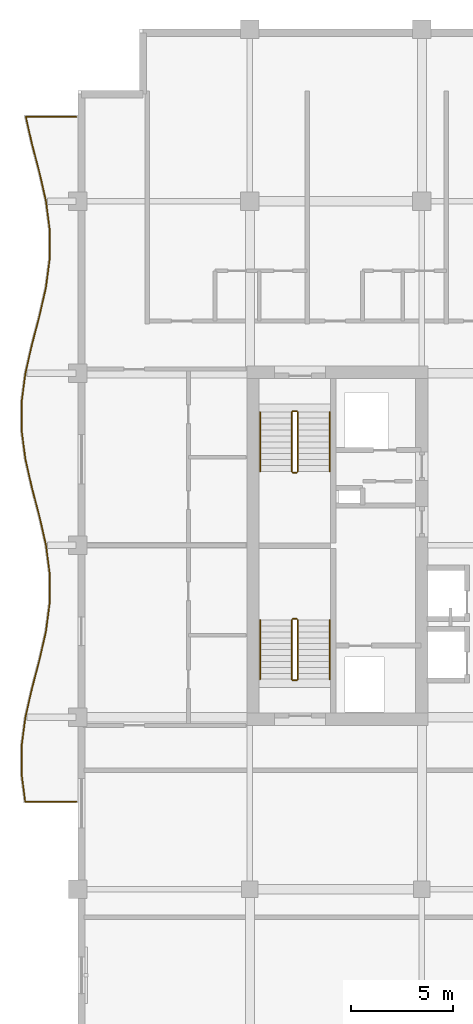
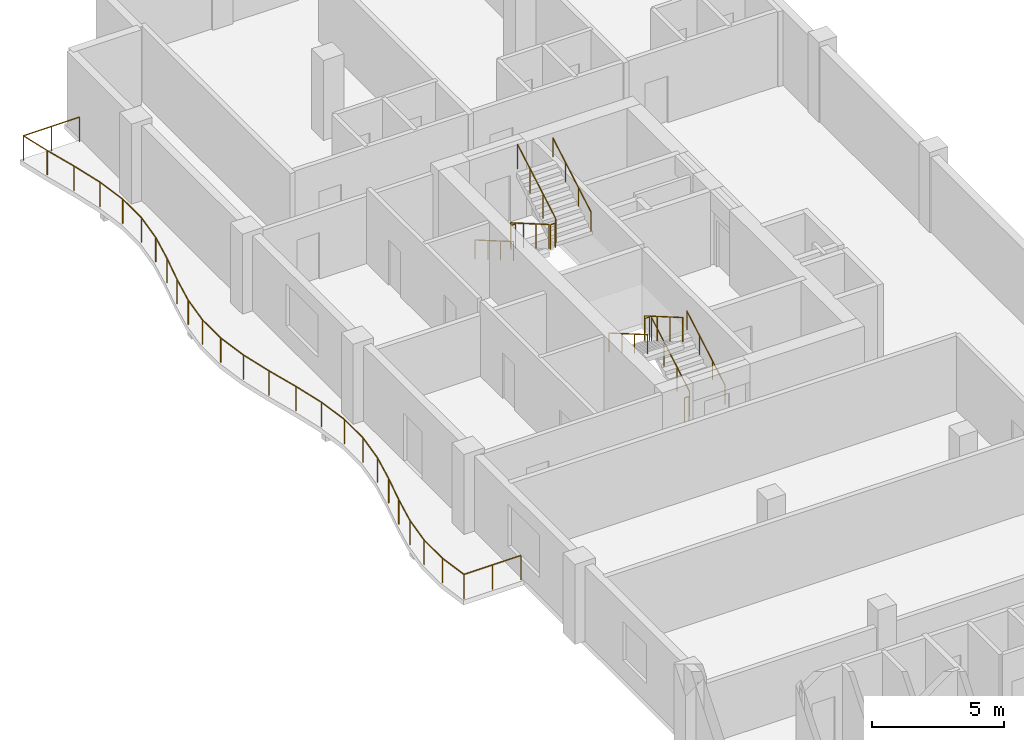
# One storey, part 12 of 12: 13 railings.
"""IFC4 building model written with IfcOpenShell, lengths in metres."""

from ifc_helpers import new_model, si_unit, direction, frame, origin, origin_2d, place, context, subcontext, project, spatial, circle, extrude, material, type_object, element, save


model = new_model("IFC4")

# Units and contexts
model_context = context("Model", 3, precision=1e-05, world=origin(), true_north=direction((0.0, 1.0)))
body_context = subcontext(model_context, "Body", "Model", "MODEL_VIEW")
ifc_project = project(units=[si_unit("LENGTHUNIT", "METRE"), si_unit("AREAUNIT", "SQUARE_METRE"), si_unit("VOLUMEUNIT", "CUBIC_METRE"), si_unit("PLANEANGLEUNIT", "RADIAN"), si_unit("MASSUNIT", "GRAM", prefix="KILO")], contexts=[model_context])

# Site, building, storey
site_placement = place(None, origin())
site = spatial("IfcSite", under=ifc_project, at=site_placement, CompositionType="ELEMENT")
building_placement = place(site_placement, origin())
building = spatial("IfcBuilding", under=site, at=building_placement, Name="Koriwani Terraces Tower", CompositionType="ELEMENT")
storey_placement = place(building_placement, frame((0.0, 0.0, 278.60009765625)))
storey = spatial("IfcBuildingStorey", under=building, at=storey_placement, Name="L69", CompositionType="ELEMENT", Elevation=278.60009765625)

# Railings
ifc_material = material(Name="Steel ASTM A572 Grade 50", Category="steel")
railing_type_1 = type_object("IfcRailingType", Name="GUARD_BALUSTRADE_1150", PredefinedType="BALUSTRADE", material=ifc_material)
railing_1_placement = place(storey_placement, frame((8.320068359375, 37.8798828125, 0.0)))
element("IfcRailing", 1, at=railing_1_placement, inside=storey, type_object=railing_type_1, Name="L69 Balcony Perimeter Safety Balustrade (W)", PredefinedType="BALUSTRADE", context=body_context, shape_type="SweptSolid", body=[
    extrude(circle(Radius=0.02392578125, at=origin_2d()), frame((0.0, 0.0, 1.1259765625), z_axis=(-1.0, 0.0, 0.0), x_axis=(0.0, -1.0, 0.0)), (0.0, 0.0, 1.0), 2.491943359375),
    extrude(circle(Radius=0.02392578125, at=origin_2d()), frame((-2.491943359375, 0.0, 1.1259765625), z_axis=(-0.130057587779, 0.991506441664, 0.0), x_axis=(-0.991506441664, -0.130057587779, 0.0)), (0.0, 0.0, 1.0), 1.33642578125),
    extrude(circle(Radius=0.02392578125, at=origin_2d()), frame((-2.665771484375, 1.3251953125, 1.1259765625), z_axis=(0.0, 1.0, 0.0), x_axis=(-1.0, 0.0, 0.0)), (0.0, 0.0, 1.0), 1.3896484375),
    extrude(circle(Radius=0.02392578125, at=origin_2d()), frame((-2.665771484375, 2.71484375, 1.1259765625), z_axis=(0.130157426935, 0.991493340479, 0.0), x_axis=(-0.991493340479, 0.130157426935, 0.0)), (0.0, 0.0, 1.0), 1.403076171875),
    extrude(circle(Radius=0.02392578125, at=origin_2d()), frame((-2.483154296875, 4.10595703125, 1.1259765625), z_axis=(0.221480974814, 0.975164692652, 0.0), x_axis=(-0.975164692652, 0.221480974814, 0.0)), (0.0, 0.0, 1.0), 1.430908203125),
    extrude(circle(Radius=0.02392578125, at=origin_2d()), frame((-2.166259765625, 5.501220703125, 1.1259765625), z_axis=(0.254028314271, 0.967196782226, 0.0), x_axis=(-0.967196782226, 0.254028314271, 0.0)), (0.0, 0.0, 1.0), 1.447265625),
    extrude(circle(Radius=0.02392578125, at=origin_2d()), frame((-1.798583984375, 6.901123046875, 1.1259765625), z_axis=(0.221665052023, 0.975122866469, 0.0), x_axis=(-0.975122866469, 0.221665052023, 0.0)), (0.0, 0.0, 1.0), 1.440673828125),
    extrude(circle(Radius=0.02392578125, at=origin_2d()), frame((-1.479248046875, 8.305908203125, 1.1259765625), z_axis=(0.12989004906, 0.991528403605, 0.0), x_axis=(-0.991528403605, 0.12989004906, 0.0)), (0.0, 0.0, 1.0), 1.4208984375),
    extrude(circle(Radius=0.02392578125, at=origin_2d()), frame((-1.294677734375, 9.71484375, 1.1259765625), z_axis=(0.0, 1.0, 0.0), x_axis=(-1.0, 0.0, 0.0)), (0.0, 0.0, 1.0), 1.410400390625),
    extrude(circle(Radius=0.02392578125, at=origin_2d()), frame((-1.294677734375, 11.125244140625, 1.1259765625), z_axis=(-0.12989004906, 0.991528403605, 0.0), x_axis=(-0.991528403605, -0.12989004906, 0.0)), (0.0, 0.0, 1.0), 1.4208984375),
    extrude(circle(Radius=0.02392578125, at=origin_2d()), frame((-1.479248046875, 12.5341796875, 1.1259765625), z_axis=(-0.221628427149, 0.975131191317, 0.0), x_axis=(-0.975131191317, -0.221628427149, 0.0)), (0.0, 0.0, 1.0), 1.44091796875),
    extrude(circle(Radius=0.02392578125, at=origin_2d()), frame((-1.798583984375, 13.939208984375, 1.1259765625), z_axis=(-0.254028314271, 0.967196782226, 0.0), x_axis=(-0.967196782226, -0.254028314271, 0.0)), (0.0, 0.0, 1.0), 1.447265625),
    extrude(circle(Radius=0.02392578125, at=origin_2d()), frame((-2.166259765625, 15.339111328125, 1.1259765625), z_axis=(-0.221517834068, 0.975156320387, 0.0), x_axis=(-0.975156320387, -0.221517834068, 0.0)), (0.0, 0.0, 1.0), 1.4306640625),
    extrude(circle(Radius=0.02392578125, at=origin_2d()), frame((-2.483154296875, 16.734130859375, 1.1259765625), z_axis=(-0.130157426935, 0.991493340479, 0.0), x_axis=(-0.991493340479, -0.130157426935, 0.0)), (0.0, 0.0, 1.0), 1.403076171875),
    extrude(circle(Radius=0.02392578125, at=origin_2d()), frame((-2.665771484375, 18.125244140625, 1.1259765625), z_axis=(0.0, 1.0, 0.0), x_axis=(-1.0, 0.0, 0.0)), (0.0, 0.0, 1.0), 1.3896484375),
    extrude(circle(Radius=0.02392578125, at=origin_2d()), frame((-2.665771484375, 19.514892578125, 1.1259765625), z_axis=(0.130157426935, 0.991493340479, 0.0), x_axis=(-0.991493340479, 0.130157426935, 0.0)), (0.0, 0.0, 1.0), 1.403076171875),
    extrude(circle(Radius=0.02392578125, at=origin_2d()), frame((-2.483154296875, 20.906005859375, 1.1259765625), z_axis=(0.221517834068, 0.975156320387, 0.0), x_axis=(-0.975156320387, 0.221517834068, 0.0)), (0.0, 0.0, 1.0), 1.4306640625),
    extrude(circle(Radius=0.02392578125, at=origin_2d()), frame((-2.166259765625, 22.301025390625, 1.1259765625), z_axis=(0.253986877518, 0.967207664387, 0.0), x_axis=(-0.967207664387, 0.253986877518, 0.0)), (0.0, 0.0, 1.0), 1.447509765625),
    extrude(circle(Radius=0.02392578125, at=origin_2d()), frame((-1.798583984375, 23.701171875, 1.1259765625), z_axis=(0.221665052023, 0.975122866469, 0.0), x_axis=(-0.975122866469, 0.221665052023, 0.0)), (0.0, 0.0, 1.0), 1.440673828125),
    extrude(circle(Radius=0.02392578125, at=origin_2d()), frame((-1.479248046875, 25.10595703125, 1.1259765625), z_axis=(0.12989004906, 0.991528403605, 0.0), x_axis=(-0.991528403605, 0.12989004906, 0.0)), (0.0, 0.0, 1.0), 1.4208984375),
    extrude(circle(Radius=0.02392578125, at=origin_2d()), frame((-1.294677734375, 26.514892578125, 1.1259765625), z_axis=(0.0, 1.0, 0.0), x_axis=(-1.0, 0.0, 0.0)), (0.0, 0.0, 1.0), 1.410400390625),
    extrude(circle(Radius=0.02392578125, at=origin_2d()), frame((-1.294677734375, 27.92529296875, 1.1259765625), z_axis=(-0.12989004906, 0.991528403605, 0.0), x_axis=(-0.991528403605, -0.12989004906, 0.0)), (0.0, 0.0, 1.0), 1.4208984375),
    extrude(circle(Radius=0.02392578125, at=origin_2d()), frame((-1.479248046875, 29.334228515625, 1.1259765625), z_axis=(-0.221665052023, 0.975122866469, 0.0), x_axis=(-0.975122866469, -0.221665052023, 0.0)), (0.0, 0.0, 1.0), 1.440673828125),
    extrude(circle(Radius=0.02392578125, at=origin_2d()), frame((-1.798583984375, 30.739013671875, 1.1259765625), z_axis=(-0.253986877518, 0.967207664387, 0.0), x_axis=(-0.967207664387, -0.253986877518, 0.0)), (0.0, 0.0, 1.0), 1.447509765625),
    extrude(circle(Radius=0.02392578125, at=origin_2d()), frame((-2.166259765625, 32.13916015625, 1.1259765625), z_axis=(-0.221597376316, 0.97513824805, 0.0), x_axis=(-0.97513824805, -0.221597376316, 0.0)), (0.0, 0.0, 1.0), 1.334228515625),
    extrude(circle(Radius=0.02392578125, at=origin_2d()), frame((-2.4619140625, 33.440185546875, 1.1259765625), z_axis=(1.0, 0.0, 0.0), x_axis=(0.0, 1.0, 0.0)), (0.0, 0.0, 1.0), 2.4619140625),
    extrude(circle(Radius=0.02099609375, at=origin_2d()), origin(), (0.0, 0.0, 1.0), 1.101806640625),
    extrude(circle(Radius=0.02099609375, at=origin_2d()), frame((-1.24609375, 0.0, 0.0)), (0.0, 0.0, 1.0), 1.101806640625),
    extrude(circle(Radius=0.02099609375, at=origin_2d()), frame((-2.491943359375, 0.0, 0.0)), (0.0, 0.0, 1.0), 1.101806640625),
    extrude(circle(Radius=0.02099609375, at=origin_2d()), frame((-2.665771484375, 1.3251953125, 0.0)), (0.0, 0.0, 1.0), 1.101806640625),
    extrude(circle(Radius=0.02099609375, at=origin_2d()), frame((-2.665771484375, 2.71484375, 0.0)), (0.0, 0.0, 1.0), 1.101806640625),
    extrude(circle(Radius=0.02099609375, at=origin_2d()), frame((-2.483154296875, 4.10595703125, 0.0)), (0.0, 0.0, 1.0), 1.101806640625),
    extrude(circle(Radius=0.02099609375, at=origin_2d()), frame((-2.166259765625, 5.501220703125, 0.0)), (0.0, 0.0, 1.0), 1.101806640625),
    extrude(circle(Radius=0.02099609375, at=origin_2d()), frame((-1.798583984375, 6.901123046875, 0.0)), (0.0, 0.0, 1.0), 1.101806640625),
    extrude(circle(Radius=0.02099609375, at=origin_2d()), frame((-1.479248046875, 8.305908203125, 0.0)), (0.0, 0.0, 1.0), 1.101806640625),
    extrude(circle(Radius=0.02099609375, at=origin_2d()), frame((-1.294677734375, 9.71484375, 0.0)), (0.0, 0.0, 1.0), 1.101806640625),
    extrude(circle(Radius=0.02099609375, at=origin_2d()), frame((-1.294677734375, 11.125244140625, 0.0)), (0.0, 0.0, 1.0), 1.101806640625),
    extrude(circle(Radius=0.02099609375, at=origin_2d()), frame((-1.479248046875, 12.5341796875, 0.0)), (0.0, 0.0, 1.0), 1.101806640625),
    extrude(circle(Radius=0.02099609375, at=origin_2d()), frame((-1.798583984375, 13.939208984375, 0.0)), (0.0, 0.0, 1.0), 1.101806640625),
    extrude(circle(Radius=0.02099609375, at=origin_2d()), frame((-2.166259765625, 15.339111328125, 0.0)), (0.0, 0.0, 1.0), 1.101806640625),
    extrude(circle(Radius=0.02099609375, at=origin_2d()), frame((-2.483154296875, 16.734130859375, 0.0)), (0.0, 0.0, 1.0), 1.101806640625),
    extrude(circle(Radius=0.02099609375, at=origin_2d()), frame((-2.665771484375, 18.125244140625, 0.0)), (0.0, 0.0, 1.0), 1.101806640625),
    extrude(circle(Radius=0.02099609375, at=origin_2d()), frame((-2.665771484375, 19.514892578125, 0.0)), (0.0, 0.0, 1.0), 1.101806640625),
    extrude(circle(Radius=0.02099609375, at=origin_2d()), frame((-2.483154296875, 20.906005859375, 0.0)), (0.0, 0.0, 1.0), 1.101806640625),
    extrude(circle(Radius=0.02099609375, at=origin_2d()), frame((-2.166259765625, 22.301025390625, 0.0)), (0.0, 0.0, 1.0), 1.101806640625),
    extrude(circle(Radius=0.02099609375, at=origin_2d()), frame((-1.798583984375, 23.701171875, 0.0)), (0.0, 0.0, 1.0), 1.101806640625),
    extrude(circle(Radius=0.02099609375, at=origin_2d()), frame((-1.479248046875, 25.10595703125, 0.0)), (0.0, 0.0, 1.0), 1.101806640625),
    extrude(circle(Radius=0.02099609375, at=origin_2d()), frame((-1.294677734375, 26.514892578125, 0.0)), (0.0, 0.0, 1.0), 1.101806640625),
    extrude(circle(Radius=0.02099609375, at=origin_2d()), frame((-1.294677734375, 27.92529296875, 0.0)), (0.0, 0.0, 1.0), 1.101806640625),
    extrude(circle(Radius=0.02099609375, at=origin_2d()), frame((-1.479248046875, 29.334228515625, 0.0)), (0.0, 0.0, 1.0), 1.101806640625),
    extrude(circle(Radius=0.02099609375, at=origin_2d()), frame((-1.798583984375, 30.739013671875, 0.0)), (0.0, 0.0, 1.0), 1.101806640625),
    extrude(circle(Radius=0.02099609375, at=origin_2d()), frame((-2.166259765625, 32.13916015625, 0.0)), (0.0, 0.0, 1.0), 1.101806640625),
    extrude(circle(Radius=0.02099609375, at=origin_2d()), frame((-2.4619140625, 33.440185546875, 0.0)), (0.0, 0.0, 1.0), 1.101806640625),
    extrude(circle(Radius=0.02099609375, at=origin_2d()), frame((-1.23095703125, 33.440185546875, 0.0)), (0.0, 0.0, 1.0), 1.101806640625),
    extrude(circle(Radius=0.02099609375, at=origin_2d()), frame((0.0, 33.440185546875, 0.0)), (0.0, 0.0, 1.0), 1.101806640625),
])
railing_type_2 = type_object("IfcRailingType", Name="GUARD_STAIR_WELL_1120", PredefinedType="GUARDRAIL", material=ifc_material)
railing_2_placement = place(storey_placement, frame((19.14990234375, 43.85009765625, 0.16796875)))
element("IfcRailing", 2, at=railing_2_placement, inside=storey, type_object=railing_type_2, Name="L69 ST-W1 stair guard 1", PredefinedType="GUARDRAIL", context=body_context, shape_type="SweptSolid", body=[
    extrude(circle(Radius=0.02392578125, at=origin_2d()), frame((0.0, 0.0, 1.1259765625), z_axis=(0.0, 0.865038774852, 0.501705010941), x_axis=(-1.0, 0.0, 0.0)), (0.0, 0.0, 1.0), 3.352294921875),
    extrude(circle(Radius=0.02099609375, at=origin_2d()), origin(), (0.0, 0.0, 1.0), 1.101806640625),
    extrude(circle(Radius=0.02099609375, at=origin_2d()), frame((0.0, 0.966552734375, 0.560546875)), (0.0, 0.0, 1.0), 1.101806640625),
    extrude(circle(Radius=0.02099609375, at=origin_2d()), frame((0.0, 1.933349609375, 1.121337890625)), (0.0, 0.0, 1.0), 1.101806640625),
    extrude(circle(Radius=0.02099609375, at=origin_2d()), frame((0.0, 2.89990234375, 1.681884765625)), (0.0, 0.0, 1.0), 1.101806640625),
])
railing_3_placement = place(storey_placement, frame((19.10009765625, 46.800048828125, 1.849853515625)))
element("IfcRailing", 3, at=railing_3_placement, inside=storey, type_object=railing_type_2, Name="L69 ST-W1 stair guard 2", PredefinedType="GUARDRAIL", context=body_context, shape_type="SweptSolid", body=[
    extrude(circle(Radius=0.02392578125, at=origin_2d()), frame((0.0, 0.0, 1.1259765625), z_axis=(-1.0, 0.0, 0.0), x_axis=(0.0, -1.0, 0.0)), (0.0, 0.0, 1.0), 0.2001953125),
    extrude(circle(Radius=0.02099609375, at=origin_2d()), origin(), (0.0, 0.0, 1.0), 1.101806640625),
    extrude(circle(Radius=0.02099609375, at=origin_2d()), frame((-0.2001953125, 0.0, 0.0)), (0.0, 0.0, 1.0), 1.101806640625),
])
railing_4_placement = place(storey_placement, frame((18.85009765625, 46.75, 2.01806640625)))
element("IfcRailing", 4, at=railing_4_placement, inside=storey, type_object=railing_type_2, Name="L69 ST-W1 stair guard 3", PredefinedType="GUARDRAIL", context=body_context, shape_type="SweptSolid", body=[
    extrude(circle(Radius=0.02392578125, at=origin_2d()), frame((0.0, 0.0, 1.1259765625), z_axis=(0.0, -0.865038774852, 0.501705010941), x_axis=(1.0, 0.0, 0.0)), (0.0, 0.0, 1.0), 3.352294921875),
    extrude(circle(Radius=0.02099609375, at=origin_2d()), origin(), (0.0, 0.0, 1.0), 1.101806640625),
    extrude(circle(Radius=0.02099609375, at=origin_2d()), frame((0.0, -0.966552734375, 0.560546875)), (0.0, 0.0, 1.0), 1.101806640625),
    extrude(circle(Radius=0.02099609375, at=origin_2d()), frame((0.0, -1.933349609375, 1.121337890625)), (0.0, 0.0, 1.0), 1.101806640625),
    extrude(circle(Radius=0.02099609375, at=origin_2d()), frame((0.0, -2.89990234375, 1.681884765625)), (0.0, 0.0, 1.0), 1.101806640625),
])
railing_5_placement = place(storey_placement, frame((19.10009765625, 43.800048828125, 0.0)))
element("IfcRailing", 5, at=railing_5_placement, inside=storey, type_object=railing_type_2, Name="L69 ST-W1 stair guard 4", PredefinedType="GUARDRAIL", context=body_context, shape_type="SweptSolid", body=[
    extrude(circle(Radius=0.02392578125, at=origin_2d()), frame((0.0, 0.0, 1.1259765625), z_axis=(-1.0, 0.0, 0.0), x_axis=(0.0, -1.0, 0.0)), (0.0, 0.0, 1.0), 0.2001953125),
    extrude(circle(Radius=0.02099609375, at=origin_2d()), origin(), (0.0, 0.0, 1.0), 1.101806640625),
    extrude(circle(Radius=0.02099609375, at=origin_2d()), frame((-0.2001953125, 0.0, 0.0)), (0.0, 0.0, 1.0), 1.101806640625),
])
railing_6_placement = place(storey_placement, frame((18.85009765625, 56.89990234375, 0.16796875)))
element("IfcRailing", 6, at=railing_6_placement, inside=storey, type_object=railing_type_2, Name="L69 ST-W2 stair guard 1", PredefinedType="GUARDRAIL", context=body_context, shape_type="SweptSolid", body=[
    extrude(circle(Radius=0.02392578125, at=origin_2d()), frame((0.0, 0.0, 1.1259765625), z_axis=(0.0, -0.865038774852, 0.501705010941), x_axis=(1.0, 0.0, 0.0)), (0.0, 0.0, 1.0), 3.352294921875),
    extrude(circle(Radius=0.02099609375, at=origin_2d()), origin(), (0.0, 0.0, 1.0), 1.101806640625),
    extrude(circle(Radius=0.02099609375, at=origin_2d()), frame((0.0, -0.966552734375, 0.560546875)), (0.0, 0.0, 1.0), 1.101806640625),
    extrude(circle(Radius=0.02099609375, at=origin_2d()), frame((0.0, -1.933349609375, 1.121337890625)), (0.0, 0.0, 1.0), 1.101806640625),
    extrude(circle(Radius=0.02099609375, at=origin_2d()), frame((0.0, -2.89990234375, 1.681884765625)), (0.0, 0.0, 1.0), 1.101806640625),
])
railing_7_placement = place(storey_placement, frame((18.89990234375, 53.949951171875, 1.849853515625)))
element("IfcRailing", 7, at=railing_7_placement, inside=storey, type_object=railing_type_2, Name="L69 ST-W2 stair guard 2", PredefinedType="GUARDRAIL", context=body_context, shape_type="SweptSolid", body=[
    extrude(circle(Radius=0.02392578125, at=origin_2d()), frame((0.0, 0.0, 1.1259765625), z_axis=(1.0, 0.0, 0.0), x_axis=(0.0, 1.0, 0.0)), (0.0, 0.0, 1.0), 0.2001953125),
    extrude(circle(Radius=0.02099609375, at=origin_2d()), origin(), (0.0, 0.0, 1.0), 1.101806640625),
    extrude(circle(Radius=0.02099609375, at=origin_2d()), frame((0.2001953125, 0.0, 0.0)), (0.0, 0.0, 1.0), 1.101806640625),
])
railing_8_placement = place(storey_placement, frame((19.14990234375, 54.0, 2.01806640625)))
element("IfcRailing", 8, at=railing_8_placement, inside=storey, type_object=railing_type_2, Name="L69 ST-W2 stair guard 3", PredefinedType="GUARDRAIL", context=body_context, shape_type="SweptSolid", body=[
    extrude(circle(Radius=0.02392578125, at=origin_2d()), frame((0.0, 0.0, 1.1259765625), z_axis=(0.0, 0.865038774852, 0.501705010941), x_axis=(-1.0, 0.0, 0.0)), (0.0, 0.0, 1.0), 3.352294921875),
    extrude(circle(Radius=0.02099609375, at=origin_2d()), origin(), (0.0, 0.0, 1.0), 1.101806640625),
    extrude(circle(Radius=0.02099609375, at=origin_2d()), frame((0.0, 0.966552734375, 0.560546875)), (0.0, 0.0, 1.0), 1.101806640625),
    extrude(circle(Radius=0.02099609375, at=origin_2d()), frame((0.0, 1.933349609375, 1.121337890625)), (0.0, 0.0, 1.0), 1.101806640625),
    extrude(circle(Radius=0.02099609375, at=origin_2d()), frame((0.0, 2.89990234375, 1.681884765625)), (0.0, 0.0, 1.0), 1.101806640625),
])
railing_9_placement = place(storey_placement, frame((18.89990234375, 56.949951171875, 0.0)))
element("IfcRailing", 9, at=railing_9_placement, inside=storey, type_object=railing_type_2, Name="L69 ST-W2 stair guard 4", PredefinedType="GUARDRAIL", context=body_context, shape_type="SweptSolid", body=[
    extrude(circle(Radius=0.02392578125, at=origin_2d()), frame((0.0, 0.0, 1.1259765625), z_axis=(1.0, 0.0, 0.0), x_axis=(0.0, 1.0, 0.0)), (0.0, 0.0, 1.0), 0.2001953125),
    extrude(circle(Radius=0.02099609375, at=origin_2d()), origin(), (0.0, 0.0, 1.0), 1.101806640625),
    extrude(circle(Radius=0.02099609375, at=origin_2d()), frame((0.2001953125, 0.0, 0.0)), (0.0, 0.0, 1.0), 1.101806640625),
])
railing_type_3 = type_object("IfcRailingType", Name="HANDRAIL_STAIR_920", PredefinedType="HANDRAIL", material=ifc_material)
railing_10_placement = place(storey_placement, frame((20.699951171875, 43.85009765625, 0.16796875)))
element("IfcRailing", 10, at=railing_10_placement, inside=storey, type_object=railing_type_3, Name="L69 ST-W1 stair handrail 1", PredefinedType="HANDRAIL", context=body_context, shape_type="SweptSolid", body=[
    extrude(circle(Radius=0.02392578125, at=origin_2d()), frame((0.0, 0.0, 0.8759765625), z_axis=(0.0, 0.865038774852, 0.501705010941), x_axis=(-1.0, 0.0, 0.0)), (0.0, 0.0, 1.0), 3.352294921875),
    extrude(circle(Radius=0.02099609375, at=origin_2d()), origin(), (0.0, 0.0, 1.0), 0.851806640625),
    extrude(circle(Radius=0.02099609375, at=origin_2d()), frame((0.0, 0.966552734375, 0.560546875)), (0.0, 0.0, 1.0), 0.851806640625),
    extrude(circle(Radius=0.02099609375, at=origin_2d()), frame((0.0, 1.933349609375, 1.121337890625)), (0.0, 0.0, 1.0), 0.851806640625),
    extrude(circle(Radius=0.02099609375, at=origin_2d()), frame((0.0, 2.89990234375, 1.681884765625)), (0.0, 0.0, 1.0), 0.851806640625),
])
for number, where, name in (
    (11, (17.300048828125, 46.75, 2.01806640625), "L69 ST-W1 stair handrail 2"),
    (12, (17.300048828125, 56.89990234375, 0.16796875), "L69 ST-W2 stair handrail 1"),
):
    element("IfcRailing", number, at=place(storey_placement, frame(where)), inside=storey, type_object=railing_type_3, Name=name, PredefinedType="HANDRAIL", context=body_context, shape_type="SweptSolid", body=[
        extrude(circle(Radius=0.02392578125, at=origin_2d()), frame((0.0, 0.0, 0.8759765625), z_axis=(0.0, -0.865038774852, 0.501705010941), x_axis=(1.0, 0.0, 0.0)), (0.0, 0.0, 1.0), 3.352294921875),
        extrude(circle(Radius=0.02099609375, at=origin_2d()), origin(), (0.0, 0.0, 1.0), 0.851806640625),
        extrude(circle(Radius=0.02099609375, at=origin_2d()), frame((0.0, -0.966552734375, 0.560546875)), (0.0, 0.0, 1.0), 0.851806640625),
        extrude(circle(Radius=0.02099609375, at=origin_2d()), frame((0.0, -1.933349609375, 1.121337890625)), (0.0, 0.0, 1.0), 0.851806640625),
        extrude(circle(Radius=0.02099609375, at=origin_2d()), frame((0.0, -2.89990234375, 1.681884765625)), (0.0, 0.0, 1.0), 0.851806640625),
    ])
railing_11_placement = place(storey_placement, frame((20.699951171875, 54.0, 2.01806640625)))
element("IfcRailing", 13, at=railing_11_placement, inside=storey, type_object=railing_type_3, Name="L69 ST-W2 stair handrail 2", PredefinedType="HANDRAIL", context=body_context, shape_type="SweptSolid", body=[
    extrude(circle(Radius=0.02392578125, at=origin_2d()), frame((0.0, 0.0, 0.8759765625), z_axis=(0.0, 0.865038774852, 0.501705010941), x_axis=(-1.0, 0.0, 0.0)), (0.0, 0.0, 1.0), 3.352294921875),
    extrude(circle(Radius=0.02099609375, at=origin_2d()), origin(), (0.0, 0.0, 1.0), 0.851806640625),
    extrude(circle(Radius=0.02099609375, at=origin_2d()), frame((0.0, 0.966552734375, 0.560546875)), (0.0, 0.0, 1.0), 0.851806640625),
    extrude(circle(Radius=0.02099609375, at=origin_2d()), frame((0.0, 1.933349609375, 1.121337890625)), (0.0, 0.0, 1.0), 0.851806640625),
    extrude(circle(Radius=0.02099609375, at=origin_2d()), frame((0.0, 2.89990234375, 1.681884765625)), (0.0, 0.0, 1.0), 0.851806640625),
])

save(model, "model.ifc")
